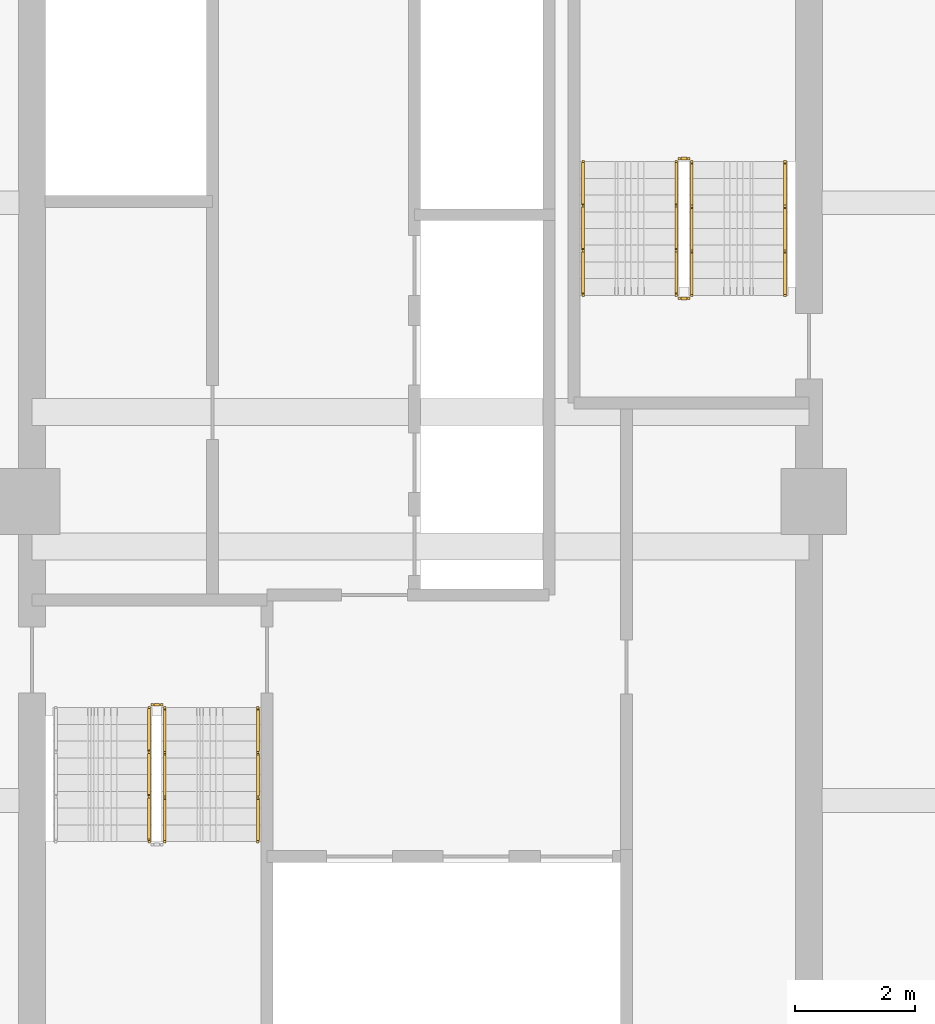
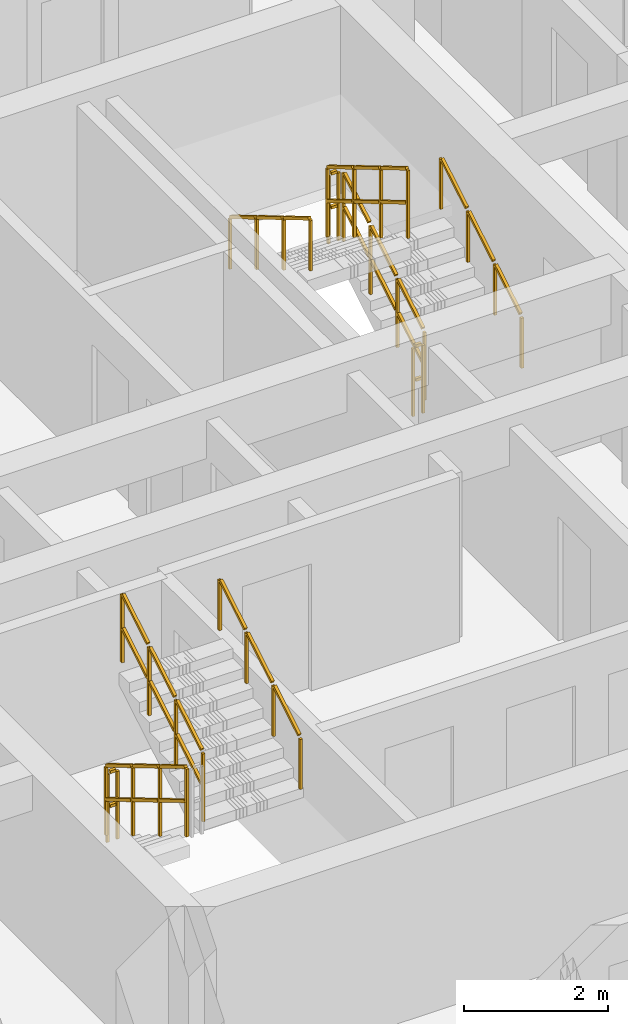
# One storey, part 22 of 24: 10 railings.
"""IFC4 building model written with IfcOpenShell, lengths in metres."""

import ifcopenshell
import ifcopenshell.guid

model = None  # the IFC model being written
_history = None  # IfcOwnerHistory: only IFC2X3 demands one
_inside = {}  # id of a spatial element -> (the spatial element, [elements in it])
_under = {}  # id of a project, library or spatial element -> (it, [spatial elements below it])
_declared = {}  # id of a project -> (the project, [libraries it declares])
_typed = {}  # id of a type object -> (the type object, [elements of that type])
_made_of = {}  # id of a material, layer set ... -> (it, [elements and type objects made of it])


def new_model(schema):
    """Start an empty IFC model of exactly this schema.

    Asked for "IFC4X3", IfcOpenShell would pick the latest addendum, in which some entities
    have other attributes; the version numbers below select the first issue.
    IFC2X3 requires an IfcOwnerHistory on every rooted entity: one is made here for all.
    """
    global model, _history
    if schema == "IFC4X3":
        model = ifcopenshell.file(schema_version=(4, 3, 0, 0))
    else:
        model = ifcopenshell.file(schema=schema)
    _inside.clear()
    _under.clear()
    _declared.clear()
    _typed.clear()
    _made_of.clear()
    _history = None
    if model.schema == "IFC2X3":
        org = make("IfcOrganization", Name="unknown")
        user = make(
            "IfcPersonAndOrganization",
            ThePerson=make("IfcPerson", FamilyName="unknown"),
            TheOrganization=org,
        )
        app = make(
            "IfcApplication",
            ApplicationDeveloper=org,
            Version="unknown",
            ApplicationFullName="unknown",
            ApplicationIdentifier="unknown",
        )
        _history = make(
            "IfcOwnerHistory",
            OwningUser=user,
            OwningApplication=app,
            ChangeAction="ADDED",
            CreationDate=0,
        )
    return model


def make(cls, **values):
    """One entity of the class cls with the attributes given. An attribute that is None is left unset."""
    return model.create_entity(
        cls, **{name: value for name, value in values.items() if value is not None}
    )


def rooted(cls, **values):
    """An entity with a GlobalId (a new one), such as an element, a storey or a relation."""
    return make(cls, GlobalId=ifcopenshell.guid.new(), OwnerHistory=_history, **values)


def si_unit(unit_type, name, prefix=None):
    """IfcSIUnit, for example si_unit("LENGTHUNIT", "METRE", prefix="MILLI")."""
    return make("IfcSIUnit", UnitType=unit_type, Prefix=prefix, Name=name)


def assignment(units):
    """IfcUnitAssignment: the units of a project."""
    return None if units is None else make("IfcUnitAssignment", Units=units)


def point(xyz):
    """IfcCartesianPoint."""
    return None if xyz is None else make("IfcCartesianPoint", Coordinates=xyz)


def direction(xyz):
    """IfcDirection."""
    return None if xyz is None else make("IfcDirection", DirectionRatios=xyz)


def frame(location, z_axis=None, x_axis=None):
    """IfcAxis2Placement3D, a coordinate frame: its origin and axes. An axis left out is left unset."""
    return make(
        "IfcAxis2Placement3D",
        Location=point(location),
        Axis=direction(z_axis),
        RefDirection=direction(x_axis),
    )


def frame_2d(location, x_axis=None):
    """IfcAxis2Placement2D, a coordinate frame in the plane: its origin and x axis."""
    return make(
        "IfcAxis2Placement2D", Location=point(location), RefDirection=direction(x_axis)
    )


def origin():
    """The frame at (0, 0, 0) with its axes left unset."""
    return frame((0.0, 0.0, 0.0))


def origin_2d():
    """The frame at (0, 0) in the plane with its x axis left unset."""
    return frame_2d((0.0, 0.0))


def place(relative_to, where):
    """IfcLocalPlacement: puts the frame where relative to a parent placement (None: the world)."""
    return make(
        "IfcLocalPlacement", PlacementRelTo=relative_to, RelativePlacement=where
    )


def context(
    kind, dimensions, precision=None, world=None, true_north=None, identifier=None
):
    """IfcGeometricRepresentationContext, for example the 3D "Model" context."""
    return make(
        "IfcGeometricRepresentationContext",
        ContextIdentifier=identifier,
        ContextType=kind,
        CoordinateSpaceDimension=dimensions,
        Precision=precision,
        WorldCoordinateSystem=world,
        TrueNorth=true_north,
    )


def subcontext(parent, identifier, kind, view, scale=None):
    """IfcGeometricRepresentationSubContext, for example "Body" below "Model"."""
    return make(
        "IfcGeometricRepresentationSubContext",
        ContextIdentifier=identifier,
        ContextType=kind,
        ParentContext=parent,
        TargetScale=scale,
        TargetView=view,
    )


def project(units=None, contexts=None):
    """IfcProject with its units and contexts."""
    return rooted(
        "IfcProject",
        Name="project",
        RepresentationContexts=contexts,
        UnitsInContext=assignment(units),
    )


def spatial(cls, under=None, at=None, **own):
    """A site, building, storey or space (cls), placed at a placement, below another one or the project."""
    s = rooted(cls, ObjectPlacement=at, **own)
    if under is not None:
        _under.setdefault(under.id(), (under, []))[1].append(s)
    return s


def profile(cls, at=None, kind="AREA", **sizes):
    """A parametric profile (cls). Its sizes go by their IFC names, for example OverallWidth=200.0."""
    return make(cls, ProfileType=kind, Position=at, **sizes)


def rectangle(**sizes):
    """IfcRectangleProfileDef."""
    return profile("IfcRectangleProfileDef", **sizes)


def extrude(swept, where, along, depth):
    """IfcExtrudedAreaSolid: the profile swept, set in the frame where, extruded along a direction by depth."""
    return make(
        "IfcExtrudedAreaSolid",
        SweptArea=swept,
        Position=where,
        ExtrudedDirection=direction(along),
        Depth=depth,
    )


def shape(context_of_items, identifier, shape_type, items):
    """IfcShapeRepresentation: the items that make up one representation, for example the "Body"."""
    return make(
        "IfcShapeRepresentation",
        ContextOfItems=context_of_items,
        RepresentationIdentifier=identifier,
        RepresentationType=shape_type,
        Items=items,
    )


def material(Name=None, Category=None):
    """IfcMaterial."""
    return make("IfcMaterial", Name=Name, Category=Category)


def made_of(thing, what):
    """Note that an element or type object is made of a material, layer set ...; save() writes the relation."""
    if what is not None:
        _made_of.setdefault(what.id(), (what, []))[1].append(thing)
    return thing


def type_object(cls, material=None, **own):
    """A type object (cls), such as IfcWallType, which elements share."""
    return made_of(rooted(cls, **own), material)


def element(
    cls,
    number,
    at=None,
    inside=None,
    cuts=None,
    type_object=None,
    material=None,
    context=None,
    identifier="Body",
    shape_type=None,
    held_by="IfcProductDefinitionShape",
    body=None,
    shapes=None,
    **own,
):
    """One element of the class cls, such as IfcWall. Its Tag is "e" and its number.

    at: its placement. inside: the storey or other place that contains it. cuts: it is an
    opening in that element (IfcRelVoidsElement). A single representation is given by context,
    identifier, shape_type and body (its items); several are given by shapes. held_by: the class
    of the entity that holds the representations. save() writes the other relations.
    """
    e = rooted(cls, Tag="e%d" % number, ObjectPlacement=at, **own)
    if body is not None:
        shapes = [shape(context, identifier, shape_type, body)]
    if shapes is not None:
        e.Representation = make(held_by, Representations=shapes)
    if inside is not None:
        _inside.setdefault(inside.id(), (inside, []))[1].append(e)
    if cuts is not None:
        rooted(
            "IfcRelVoidsElement", RelatingBuildingElement=cuts, RelatedOpeningElement=e
        )
    if type_object is not None:
        _typed.setdefault(type_object.id(), (type_object, []))[1].append(e)
    return made_of(e, material)


def aggregate(whole, parts):
    """IfcRelAggregates: a whole, such as a stair, and the parts it consists of."""
    return rooted("IfcRelAggregates", RelatingObject=whole, RelatedObjects=parts)


def save(model, path):
    """Write the relations noted so far, then the file.

    IfcRelAggregates (storeys below a building ...), IfcRelContainedInSpatialStructure (elements
    in a storey), IfcRelDefinesByType, IfcRelAssociatesMaterial and IfcRelDeclares: one each for
    every whole, place, type object, material and project.
    """
    for whole, parts in _under.values():
        aggregate(whole, parts)
    for where, things in _inside.values():
        rooted(
            "IfcRelContainedInSpatialStructure",
            RelatedElements=things,
            RelatingStructure=where,
        )
    for kind, things in _typed.values():
        rooted("IfcRelDefinesByType", RelatedObjects=things, RelatingType=kind)
    for what, things in _made_of.values():
        rooted("IfcRelAssociatesMaterial", RelatedObjects=things, RelatingMaterial=what)
    for by, libraries in _declared.values():
        rooted("IfcRelDeclares", RelatingContext=by, RelatedDefinitions=libraries)
    model.write(path)


model = new_model("IFC4")

# Units and contexts
model_context = context("Model", 3, precision=1e-05, world=origin(), true_north=direction((0.0, 1.0)))
body_context = subcontext(model_context, "Body", "Model", "MODEL_VIEW")
ifc_project = project(units=[si_unit("LENGTHUNIT", "METRE"), si_unit("AREAUNIT", "SQUARE_METRE"), si_unit("VOLUMEUNIT", "CUBIC_METRE"), si_unit("PLANEANGLEUNIT", "RADIAN"), si_unit("MASSUNIT", "GRAM", prefix="KILO")], contexts=[model_context])

# Site, building, storey
site_placement = place(None, origin())
site = spatial("IfcSite", under=ifc_project, at=site_placement, CompositionType="ELEMENT")
building_placement = place(site_placement, origin())
building = spatial("IfcBuilding", under=site, at=building_placement, Name="Saelheon Loggia Tower", CompositionType="ELEMENT")
storey_placement = place(building_placement, frame((0.0, 0.0, 166.0)))
storey = spatial("IfcBuildingStorey", under=building, at=storey_placement, Name="L52", CompositionType="ELEMENT", Elevation=166.0)

# Railings
ifc_material_1 = material(Name="Galvanised Steel S275 Stairwell Guardrail", Category="steel")
railing_type_1 = type_object("IfcRailingType", Name="Guard_StairWell_RL_STG", PredefinedType="GUARDRAIL", material=ifc_material_1)
railing_1_placement = place(storey_placement, frame((33.4599609375, 23.550048828125, 0.166748046875)))
element("IfcRailing", 1, at=railing_1_placement, inside=storey, type_object=railing_type_1, Name="L52 ST1 stair guard 1", PredefinedType="GUARDRAIL", context=body_context, shape_type="SweptSolid", body=[
    extrude(rectangle(XDim=0.048095703125, YDim=0.048095703125, at=origin_2d()), frame((0.0, -0.028564453125, 1.19287109375), z_axis=(0.0, -0.859305625298, 0.511462454469), x_axis=(1.0, 0.0, 0.0)), (0.0, 0.0, 1.0), 0.802490234375),
    extrude(rectangle(XDim=0.048095703125, YDim=0.048095703125, at=origin_2d()), frame((0.0, -0.028564453125, 0.616943359375), z_axis=(0.0, -0.859305625298, 0.511462454469), x_axis=(1.0, 0.0, 0.0)), (0.0, 0.0, 1.0), 0.802490234375),
    extrude(rectangle(XDim=0.048095703125, YDim=0.048095703125, at=origin_2d()), frame((0.0, -0.775146484375, 1.63720703125), z_axis=(0.0, -0.859305625298, 0.511462454469), x_axis=(1.0, 0.0, 0.0)), (0.0, 0.0, 1.0), 0.802490234375),
    extrude(rectangle(XDim=0.048095703125, YDim=0.048095703125, at=origin_2d()), frame((0.0, -0.775146484375, 1.061279296875), z_axis=(0.0, -0.859305625298, 0.511462454469), x_axis=(1.0, 0.0, 0.0)), (0.0, 0.0, 1.0), 0.802490234375),
    extrude(rectangle(XDim=0.048095703125, YDim=0.048095703125, at=origin_2d()), frame((0.0, -1.52197265625, 2.081787109375), z_axis=(0.0, -0.859305625298, 0.511462454469), x_axis=(1.0, 0.0, 0.0)), (0.0, 0.0, 1.0), 0.802490234375),
    extrude(rectangle(XDim=0.048095703125, YDim=0.048095703125, at=origin_2d()), frame((0.0, -1.52197265625, 1.505859375), z_axis=(0.0, -0.859305625298, 0.511462454469), x_axis=(1.0, 0.0, 0.0)), (0.0, 0.0, 1.0), 0.802490234375),
    extrude(rectangle(XDim=0.0419921875, YDim=0.0419921875, at=origin_2d()), origin(), (0.0, 0.0, 1.0), 1.14794921875),
    extrude(rectangle(XDim=0.0419921875, YDim=0.0419921875, at=origin_2d()), frame((0.0, -0.74658203125, 0.4443359375)), (0.0, 0.0, 1.0), 1.14794921875),
    extrude(rectangle(XDim=0.0419921875, YDim=0.0419921875, at=origin_2d()), frame((0.0, -1.493408203125, 0.888916015625)), (0.0, 0.0, 1.0), 1.14794921875),
    extrude(rectangle(XDim=0.0419921875, YDim=0.0419921875, at=origin_2d()), frame((0.0, -2.239990234375, 1.333251953125)), (0.0, 0.0, 1.0), 1.14794921875),
])
railing_2_placement = place(storey_placement, frame((33.719970703125, 21.31005859375, 1.666748046875)))
element("IfcRailing", 2, at=railing_2_placement, inside=storey, type_object=railing_type_1, Name="L52 ST1 stair guard 3", PredefinedType="GUARDRAIL", context=body_context, shape_type="SweptSolid", body=[
    extrude(rectangle(XDim=0.048095703125, YDim=0.048095703125, at=origin_2d()), frame((0.0, 0.028564453125, 1.19287109375), z_axis=(0.0, 0.859305625298, 0.511462454469), x_axis=(-1.0, 0.0, 0.0)), (0.0, 0.0, 1.0), 0.802490234375),
    extrude(rectangle(XDim=0.048095703125, YDim=0.048095703125, at=origin_2d()), frame((0.0, 0.028564453125, 0.616943359375), z_axis=(0.0, 0.859305625298, 0.511462454469), x_axis=(-1.0, 0.0, 0.0)), (0.0, 0.0, 1.0), 0.802490234375),
    extrude(rectangle(XDim=0.048095703125, YDim=0.048095703125, at=origin_2d()), frame((0.0, 0.775146484375, 1.63720703125), z_axis=(0.0, 0.859305625298, 0.511462454469), x_axis=(-1.0, 0.0, 0.0)), (0.0, 0.0, 1.0), 0.802490234375),
    extrude(rectangle(XDim=0.048095703125, YDim=0.048095703125, at=origin_2d()), frame((0.0, 0.775146484375, 1.061279296875), z_axis=(0.0, 0.859305625298, 0.511462454469), x_axis=(-1.0, 0.0, 0.0)), (0.0, 0.0, 1.0), 0.802490234375),
    extrude(rectangle(XDim=0.048095703125, YDim=0.048095703125, at=origin_2d()), frame((0.0, 1.52197265625, 2.081787109375), z_axis=(0.0, 0.859305625298, 0.511462454469), x_axis=(-1.0, 0.0, 0.0)), (0.0, 0.0, 1.0), 0.802490234375),
    extrude(rectangle(XDim=0.048095703125, YDim=0.048095703125, at=origin_2d()), frame((0.0, 1.52197265625, 1.505859375), z_axis=(0.0, 0.859305625298, 0.511462454469), x_axis=(-1.0, 0.0, 0.0)), (0.0, 0.0, 1.0), 0.802490234375),
    extrude(rectangle(XDim=0.0419921875, YDim=0.0419921875, at=origin_2d()), origin(), (0.0, 0.0, 1.0), 1.14794921875),
    extrude(rectangle(XDim=0.0419921875, YDim=0.0419921875, at=origin_2d()), frame((0.0, 0.74658203125, 0.4443359375)), (0.0, 0.0, 1.0), 1.14794921875),
    extrude(rectangle(XDim=0.0419921875, YDim=0.0419921875, at=origin_2d()), frame((0.0, 1.493408203125, 0.888916015625)), (0.0, 0.0, 1.0), 1.14794921875),
    extrude(rectangle(XDim=0.0419921875, YDim=0.0419921875, at=origin_2d()), frame((0.0, 2.239990234375, 1.333251953125)), (0.0, 0.0, 1.0), 1.14794921875),
])
railing_3_placement = place(storey_placement, frame((33.510009765625, 23.60009765625, 0.0)))
element("IfcRailing", 3, at=railing_3_placement, inside=storey, type_object=railing_type_1, Name="L52 ST1 stair guard 4", PredefinedType="GUARDRAIL", context=body_context, shape_type="SweptSolid", body=[
    extrude(rectangle(XDim=0.048095703125, YDim=0.048095703125, at=origin_2d()), frame((0.033203125, 0.0, 1.17578125), z_axis=(1.0, 0.0, 0.0), x_axis=(0.0, 1.0, 0.0)), (0.0, 0.0, 1.0), 0.093505859375),
    extrude(rectangle(XDim=0.048095703125, YDim=0.048095703125, at=origin_2d()), frame((0.033203125, 0.0, 0.60009765625), z_axis=(1.0, 0.0, 0.0), x_axis=(0.0, 1.0, 0.0)), (0.0, 0.0, 1.0), 0.093505859375),
    extrude(rectangle(XDim=0.0419921875, YDim=0.0419921875, at=origin_2d()), origin(), (0.0, 0.0, 1.0), 1.14794921875),
    extrude(rectangle(XDim=0.0419921875, YDim=0.0419921875, at=origin_2d()), frame((0.159912109375, 0.0, 0.0)), (0.0, 0.0, 1.0), 1.14794921875),
])
railing_4_placement = place(storey_placement, frame((42.5400390625, 30.449951171875, 0.166748046875)))
element("IfcRailing", 4, at=railing_4_placement, inside=storey, type_object=railing_type_1, Name="L52 ST2 stair guard 1", PredefinedType="GUARDRAIL", context=body_context, shape_type="SweptSolid", body=[
    extrude(rectangle(XDim=0.048095703125, YDim=0.048095703125, at=origin_2d()), frame((0.0, 0.028564453125, 1.19287109375), z_axis=(0.0, 0.859305625298, 0.511462454469), x_axis=(-1.0, 0.0, 0.0)), (0.0, 0.0, 1.0), 0.802490234375),
    extrude(rectangle(XDim=0.048095703125, YDim=0.048095703125, at=origin_2d()), frame((0.0, 0.028564453125, 0.616943359375), z_axis=(0.0, 0.859305625298, 0.511462454469), x_axis=(-1.0, 0.0, 0.0)), (0.0, 0.0, 1.0), 0.802490234375),
    extrude(rectangle(XDim=0.048095703125, YDim=0.048095703125, at=origin_2d()), frame((0.0, 0.775146484375, 1.63720703125), z_axis=(0.0, 0.859305625298, 0.511462454469), x_axis=(-1.0, 0.0, 0.0)), (0.0, 0.0, 1.0), 0.802490234375),
    extrude(rectangle(XDim=0.048095703125, YDim=0.048095703125, at=origin_2d()), frame((0.0, 0.775146484375, 1.061279296875), z_axis=(0.0, 0.859305625298, 0.511462454469), x_axis=(-1.0, 0.0, 0.0)), (0.0, 0.0, 1.0), 0.802490234375),
    extrude(rectangle(XDim=0.048095703125, YDim=0.048095703125, at=origin_2d()), frame((0.0, 1.52197265625, 2.081787109375), z_axis=(0.0, 0.859305625298, 0.511462454469), x_axis=(-1.0, 0.0, 0.0)), (0.0, 0.0, 1.0), 0.802490234375),
    extrude(rectangle(XDim=0.048095703125, YDim=0.048095703125, at=origin_2d()), frame((0.0, 1.52197265625, 1.505859375), z_axis=(0.0, 0.859305625298, 0.511462454469), x_axis=(-1.0, 0.0, 0.0)), (0.0, 0.0, 1.0), 0.802490234375),
    extrude(rectangle(XDim=0.0419921875, YDim=0.0419921875, at=origin_2d()), origin(), (0.0, 0.0, 1.0), 1.14794921875),
    extrude(rectangle(XDim=0.0419921875, YDim=0.0419921875, at=origin_2d()), frame((0.0, 0.74658203125, 0.4443359375)), (0.0, 0.0, 1.0), 1.14794921875),
    extrude(rectangle(XDim=0.0419921875, YDim=0.0419921875, at=origin_2d()), frame((0.0, 1.493408203125, 0.888916015625)), (0.0, 0.0, 1.0), 1.14794921875),
    extrude(rectangle(XDim=0.0419921875, YDim=0.0419921875, at=origin_2d()), frame((0.0, 2.239990234375, 1.333251953125)), (0.0, 0.0, 1.0), 1.14794921875),
])
railing_5_placement = place(storey_placement, frame((42.489990234375, 32.739990234375, 1.5)))
element("IfcRailing", 5, at=railing_5_placement, inside=storey, type_object=railing_type_1, Name="L52 ST2 stair guard 2", PredefinedType="GUARDRAIL", context=body_context, shape_type="SweptSolid", body=[
    extrude(rectangle(XDim=0.048095703125, YDim=0.048095703125, at=origin_2d()), frame((-0.033203125, 0.0, 1.17578125), z_axis=(-1.0, 0.0, 0.0), x_axis=(0.0, -1.0, 0.0)), (0.0, 0.0, 1.0), 0.093505859375),
    extrude(rectangle(XDim=0.048095703125, YDim=0.048095703125, at=origin_2d()), frame((-0.033203125, 0.0, 0.60009765625), z_axis=(-1.0, 0.0, 0.0), x_axis=(0.0, -1.0, 0.0)), (0.0, 0.0, 1.0), 0.093505859375),
    extrude(rectangle(XDim=0.0419921875, YDim=0.0419921875, at=origin_2d()), origin(), (0.0, 0.0, 1.0), 1.14794921875),
    extrude(rectangle(XDim=0.0419921875, YDim=0.0419921875, at=origin_2d()), frame((-0.159912109375, 0.0, 0.0)), (0.0, 0.0, 1.0), 1.14794921875),
])
railing_6_placement = place(storey_placement, frame((42.280029296875, 32.68994140625, 1.666748046875)))
element("IfcRailing", 6, at=railing_6_placement, inside=storey, type_object=railing_type_1, Name="L52 ST2 stair guard 3", PredefinedType="GUARDRAIL", context=body_context, shape_type="SweptSolid", body=[
    extrude(rectangle(XDim=0.048095703125, YDim=0.048095703125, at=origin_2d()), frame((0.0, -0.028564453125, 1.19287109375), z_axis=(0.0, -0.859305625298, 0.511462454469), x_axis=(1.0, 0.0, 0.0)), (0.0, 0.0, 1.0), 0.802490234375),
    extrude(rectangle(XDim=0.048095703125, YDim=0.048095703125, at=origin_2d()), frame((0.0, -0.028564453125, 0.616943359375), z_axis=(0.0, -0.859305625298, 0.511462454469), x_axis=(1.0, 0.0, 0.0)), (0.0, 0.0, 1.0), 0.802490234375),
    extrude(rectangle(XDim=0.048095703125, YDim=0.048095703125, at=origin_2d()), frame((0.0, -0.775146484375, 1.63720703125), z_axis=(0.0, -0.859305625298, 0.511462454469), x_axis=(1.0, 0.0, 0.0)), (0.0, 0.0, 1.0), 0.802490234375),
    extrude(rectangle(XDim=0.048095703125, YDim=0.048095703125, at=origin_2d()), frame((0.0, -0.775146484375, 1.061279296875), z_axis=(0.0, -0.859305625298, 0.511462454469), x_axis=(1.0, 0.0, 0.0)), (0.0, 0.0, 1.0), 0.802490234375),
    extrude(rectangle(XDim=0.048095703125, YDim=0.048095703125, at=origin_2d()), frame((0.0, -1.52197265625, 2.081787109375), z_axis=(0.0, -0.859305625298, 0.511462454469), x_axis=(1.0, 0.0, 0.0)), (0.0, 0.0, 1.0), 0.802490234375),
    extrude(rectangle(XDim=0.048095703125, YDim=0.048095703125, at=origin_2d()), frame((0.0, -1.52197265625, 1.505859375), z_axis=(0.0, -0.859305625298, 0.511462454469), x_axis=(1.0, 0.0, 0.0)), (0.0, 0.0, 1.0), 0.802490234375),
    extrude(rectangle(XDim=0.0419921875, YDim=0.0419921875, at=origin_2d()), origin(), (0.0, 0.0, 1.0), 1.14794921875),
    extrude(rectangle(XDim=0.0419921875, YDim=0.0419921875, at=origin_2d()), frame((0.0, -0.74658203125, 0.4443359375)), (0.0, 0.0, 1.0), 1.14794921875),
    extrude(rectangle(XDim=0.0419921875, YDim=0.0419921875, at=origin_2d()), frame((0.0, -1.493408203125, 0.888916015625)), (0.0, 0.0, 1.0), 1.14794921875),
    extrude(rectangle(XDim=0.0419921875, YDim=0.0419921875, at=origin_2d()), frame((0.0, -2.239990234375, 1.333251953125)), (0.0, 0.0, 1.0), 1.14794921875),
])
railing_7_placement = place(storey_placement, frame((42.489990234375, 30.39990234375, 0.0)))
element("IfcRailing", 7, at=railing_7_placement, inside=storey, type_object=railing_type_1, Name="L52 ST2 stair guard 4", PredefinedType="GUARDRAIL", context=body_context, shape_type="SweptSolid", body=[
    extrude(rectangle(XDim=0.048095703125, YDim=0.048095703125, at=origin_2d()), frame((-0.033203125, 0.0, 1.17578125), z_axis=(-1.0, 0.0, 0.0), x_axis=(0.0, -1.0, 0.0)), (0.0, 0.0, 1.0), 0.093505859375),
    extrude(rectangle(XDim=0.048095703125, YDim=0.048095703125, at=origin_2d()), frame((-0.033203125, 0.0, 0.60009765625), z_axis=(-1.0, 0.0, 0.0), x_axis=(0.0, -1.0, 0.0)), (0.0, 0.0, 1.0), 0.093505859375),
    extrude(rectangle(XDim=0.0419921875, YDim=0.0419921875, at=origin_2d()), origin(), (0.0, 0.0, 1.0), 1.14794921875),
    extrude(rectangle(XDim=0.0419921875, YDim=0.0419921875, at=origin_2d()), frame((-0.159912109375, 0.0, 0.0)), (0.0, 0.0, 1.0), 1.14794921875),
])
ifc_material_2 = material(Name="Stainless Steel 304 Tubular Handrail", Category="steel")
railing_type_2 = type_object("IfcRailingType", Name="Handrail_Stair_RL_HR1", PredefinedType="HANDRAIL", material=ifc_material_2)
for number, where, name in (
    (8, (35.280029296875, 21.31005859375, 1.666748046875), "L52 ST1 stair handrail 2"),
    (9, (44.10009765625, 30.449951171875, 0.166748046875), "L52 ST2 stair handrail 1"),
):
    element("IfcRailing", number, at=place(storey_placement, frame(where)), inside=storey, type_object=railing_type_2, Name=name, PredefinedType="HANDRAIL", context=body_context, shape_type="SweptSolid", body=[
        extrude(rectangle(XDim=0.048095703125, YDim=0.048095703125, at=origin_2d()), frame((0.0, 0.028564453125, 0.892822265625), z_axis=(0.0, 0.859305625298, 0.511462454469), x_axis=(-1.0, 0.0, 0.0)), (0.0, 0.0, 1.0), 0.802490234375),
        extrude(rectangle(XDim=0.048095703125, YDim=0.048095703125, at=origin_2d()), frame((0.0, 0.775146484375, 1.337158203125), z_axis=(0.0, 0.859305625298, 0.511462454469), x_axis=(-1.0, 0.0, 0.0)), (0.0, 0.0, 1.0), 0.802490234375),
        extrude(rectangle(XDim=0.048095703125, YDim=0.048095703125, at=origin_2d()), frame((0.0, 1.52197265625, 1.78173828125), z_axis=(0.0, 0.859305625298, 0.511462454469), x_axis=(-1.0, 0.0, 0.0)), (0.0, 0.0, 1.0), 0.802490234375),
        extrude(rectangle(XDim=0.0419921875, YDim=0.0419921875, at=origin_2d()), origin(), (0.0, 0.0, 1.0), 0.847900390625),
        extrude(rectangle(XDim=0.0419921875, YDim=0.0419921875, at=origin_2d()), frame((0.0, 0.74658203125, 0.4443359375)), (0.0, 0.0, 1.0), 0.847900390625),
        extrude(rectangle(XDim=0.0419921875, YDim=0.0419921875, at=origin_2d()), frame((0.0, 1.493408203125, 0.888916015625)), (0.0, 0.0, 1.0), 0.847900390625),
        extrude(rectangle(XDim=0.0419921875, YDim=0.0419921875, at=origin_2d()), frame((0.0, 2.239990234375, 1.333251953125)), (0.0, 0.0, 1.0), 0.847900390625),
    ])
railing_8_placement = place(storey_placement, frame((40.719970703125, 32.68994140625, 1.666748046875)))
element("IfcRailing", 10, at=railing_8_placement, inside=storey, type_object=railing_type_2, Name="L52 ST2 stair handrail 2", PredefinedType="HANDRAIL", context=body_context, shape_type="SweptSolid", body=[
    extrude(rectangle(XDim=0.048095703125, YDim=0.048095703125, at=origin_2d()), frame((0.0, -0.028564453125, 0.892822265625), z_axis=(0.0, -0.859305625298, 0.511462454469), x_axis=(1.0, 0.0, 0.0)), (0.0, 0.0, 1.0), 0.802490234375),
    extrude(rectangle(XDim=0.048095703125, YDim=0.048095703125, at=origin_2d()), frame((0.0, -0.775146484375, 1.337158203125), z_axis=(0.0, -0.859305625298, 0.511462454469), x_axis=(1.0, 0.0, 0.0)), (0.0, 0.0, 1.0), 0.802490234375),
    extrude(rectangle(XDim=0.048095703125, YDim=0.048095703125, at=origin_2d()), frame((0.0, -1.52197265625, 1.78173828125), z_axis=(0.0, -0.859305625298, 0.511462454469), x_axis=(1.0, 0.0, 0.0)), (0.0, 0.0, 1.0), 0.802490234375),
    extrude(rectangle(XDim=0.0419921875, YDim=0.0419921875, at=origin_2d()), origin(), (0.0, 0.0, 1.0), 0.847900390625),
    extrude(rectangle(XDim=0.0419921875, YDim=0.0419921875, at=origin_2d()), frame((0.0, -0.74658203125, 0.4443359375)), (0.0, 0.0, 1.0), 0.847900390625),
    extrude(rectangle(XDim=0.0419921875, YDim=0.0419921875, at=origin_2d()), frame((0.0, -1.493408203125, 0.888916015625)), (0.0, 0.0, 1.0), 0.847900390625),
    extrude(rectangle(XDim=0.0419921875, YDim=0.0419921875, at=origin_2d()), frame((0.0, -2.239990234375, 1.333251953125)), (0.0, 0.0, 1.0), 0.847900390625),
])

save(model, "model.ifc")
